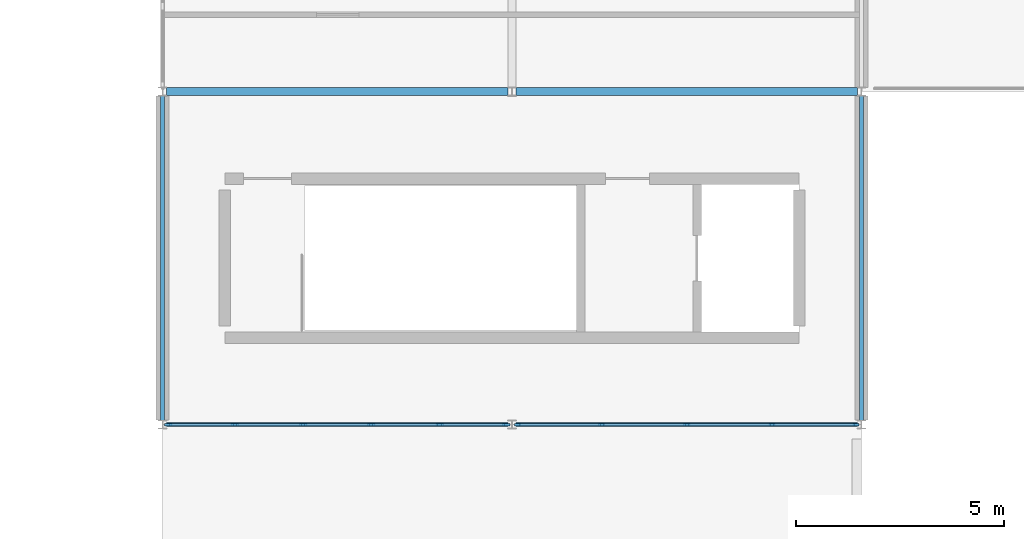
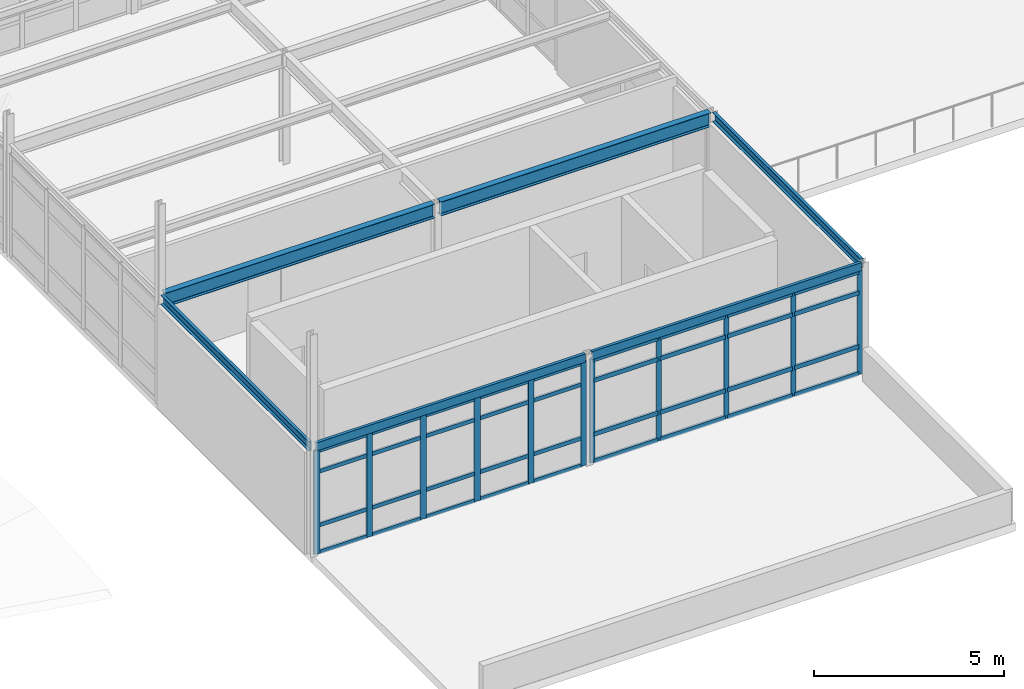
# One storey, part 12 of 32: 47 members, 6 beams, 2 elements without a shape of their own.
"""IFC4 building model written with IfcOpenShell, lengths in metres."""

import ifcopenshell
import ifcopenshell.guid

model = None  # the IFC model being written
_history = None  # IfcOwnerHistory: only IFC2X3 demands one
_inside = {}  # id of a spatial element -> (the spatial element, [elements in it])
_under = {}  # id of a project, library or spatial element -> (it, [spatial elements below it])
_declared = {}  # id of a project -> (the project, [libraries it declares])
_typed = {}  # id of a type object -> (the type object, [elements of that type])
_made_of = {}  # id of a material, layer set ... -> (it, [elements and type objects made of it])


def new_model(schema):
    """Start an empty IFC model of exactly this schema.

    Asked for "IFC4X3", IfcOpenShell would pick the latest addendum, in which some entities
    have other attributes; the version numbers below select the first issue.
    IFC2X3 requires an IfcOwnerHistory on every rooted entity: one is made here for all.
    """
    global model, _history
    if schema == "IFC4X3":
        model = ifcopenshell.file(schema_version=(4, 3, 0, 0))
    else:
        model = ifcopenshell.file(schema=schema)
    _inside.clear()
    _under.clear()
    _declared.clear()
    _typed.clear()
    _made_of.clear()
    _history = None
    if model.schema == "IFC2X3":
        org = make("IfcOrganization", Name="unknown")
        user = make(
            "IfcPersonAndOrganization",
            ThePerson=make("IfcPerson", FamilyName="unknown"),
            TheOrganization=org,
        )
        app = make(
            "IfcApplication",
            ApplicationDeveloper=org,
            Version="unknown",
            ApplicationFullName="unknown",
            ApplicationIdentifier="unknown",
        )
        _history = make(
            "IfcOwnerHistory",
            OwningUser=user,
            OwningApplication=app,
            ChangeAction="ADDED",
            CreationDate=0,
        )
    return model


def make(cls, **values):
    """One entity of the class cls with the attributes given. An attribute that is None is left unset."""
    return model.create_entity(
        cls, **{name: value for name, value in values.items() if value is not None}
    )


def rooted(cls, **values):
    """An entity with a GlobalId (a new one), such as an element, a storey or a relation."""
    return make(cls, GlobalId=ifcopenshell.guid.new(), OwnerHistory=_history, **values)


def si_unit(unit_type, name, prefix=None):
    """IfcSIUnit, for example si_unit("LENGTHUNIT", "METRE", prefix="MILLI")."""
    return make("IfcSIUnit", UnitType=unit_type, Prefix=prefix, Name=name)


def assignment(units):
    """IfcUnitAssignment: the units of a project."""
    return None if units is None else make("IfcUnitAssignment", Units=units)


def point(xyz):
    """IfcCartesianPoint."""
    return None if xyz is None else make("IfcCartesianPoint", Coordinates=xyz)


def direction(xyz):
    """IfcDirection."""
    return None if xyz is None else make("IfcDirection", DirectionRatios=xyz)


def frame(location, z_axis=None, x_axis=None):
    """IfcAxis2Placement3D, a coordinate frame: its origin and axes. An axis left out is left unset."""
    return make(
        "IfcAxis2Placement3D",
        Location=point(location),
        Axis=direction(z_axis),
        RefDirection=direction(x_axis),
    )


def frame_2d(location, x_axis=None):
    """IfcAxis2Placement2D, a coordinate frame in the plane: its origin and x axis."""
    return make(
        "IfcAxis2Placement2D", Location=point(location), RefDirection=direction(x_axis)
    )


def origin():
    """The frame at (0, 0, 0) with its axes left unset."""
    return frame((0.0, 0.0, 0.0))


def origin_2d():
    """The frame at (0, 0) in the plane with its x axis left unset."""
    return frame_2d((0.0, 0.0))


def place(relative_to, where):
    """IfcLocalPlacement: puts the frame where relative to a parent placement (None: the world)."""
    return make(
        "IfcLocalPlacement", PlacementRelTo=relative_to, RelativePlacement=where
    )


def context(
    kind, dimensions, precision=None, world=None, true_north=None, identifier=None
):
    """IfcGeometricRepresentationContext, for example the 3D "Model" context."""
    return make(
        "IfcGeometricRepresentationContext",
        ContextIdentifier=identifier,
        ContextType=kind,
        CoordinateSpaceDimension=dimensions,
        Precision=precision,
        WorldCoordinateSystem=world,
        TrueNorth=true_north,
    )


def subcontext(parent, identifier, kind, view, scale=None):
    """IfcGeometricRepresentationSubContext, for example "Body" below "Model"."""
    return make(
        "IfcGeometricRepresentationSubContext",
        ContextIdentifier=identifier,
        ContextType=kind,
        ParentContext=parent,
        TargetScale=scale,
        TargetView=view,
    )


def project(units=None, contexts=None):
    """IfcProject with its units and contexts."""
    return rooted(
        "IfcProject",
        Name="project",
        RepresentationContexts=contexts,
        UnitsInContext=assignment(units),
    )


def spatial(cls, under=None, at=None, **own):
    """A site, building, storey or space (cls), placed at a placement, below another one or the project."""
    s = rooted(cls, ObjectPlacement=at, **own)
    if under is not None:
        _under.setdefault(under.id(), (under, []))[1].append(s)
    return s


def profile(cls, at=None, kind="AREA", **sizes):
    """A parametric profile (cls). Its sizes go by their IFC names, for example OverallWidth=200.0."""
    return make(cls, ProfileType=kind, Position=at, **sizes)


def rectangle(**sizes):
    """IfcRectangleProfileDef."""
    return profile("IfcRectangleProfileDef", **sizes)


def i_section(**sizes):
    """IfcIShapeProfileDef."""
    return profile("IfcIShapeProfileDef", **sizes)


def u_section(**sizes):
    """IfcUShapeProfileDef."""
    return profile("IfcUShapeProfileDef", **sizes)


def extrude(swept, where, along, depth):
    """IfcExtrudedAreaSolid: the profile swept, set in the frame where, extruded along a direction by depth."""
    return make(
        "IfcExtrudedAreaSolid",
        SweptArea=swept,
        Position=where,
        ExtrudedDirection=direction(along),
        Depth=depth,
    )


def shape(context_of_items, identifier, shape_type, items):
    """IfcShapeRepresentation: the items that make up one representation, for example the "Body"."""
    return make(
        "IfcShapeRepresentation",
        ContextOfItems=context_of_items,
        RepresentationIdentifier=identifier,
        RepresentationType=shape_type,
        Items=items,
    )


def material(Name=None, Category=None):
    """IfcMaterial."""
    return make("IfcMaterial", Name=Name, Category=Category)


def layer(
    of_material, thickness, ventilated=None, Name=None, Category=None, Priority=None
):
    """IfcMaterialLayer: one layer of a wall or slab, of a material (None: an air gap)."""
    return make(
        "IfcMaterialLayer",
        Material=of_material,
        LayerThickness=thickness,
        IsVentilated=ventilated,
        Name=Name,
        Category=Category,
        Priority=Priority,
    )


def layer_set(layers, Name=None):
    """IfcMaterialLayerSet."""
    return make("IfcMaterialLayerSet", MaterialLayers=layers, LayerSetName=Name)


def material_profile(
    of_material, cross_section, Name=None, Category=None, Priority=None
):
    """IfcMaterialProfile: a cross section and its material."""
    return make(
        "IfcMaterialProfile",
        Name=Name,
        Material=of_material,
        Profile=cross_section,
        Priority=Priority,
        Category=Category,
    )


def profile_set(profiles, Name=None, composite=None):
    """IfcMaterialProfileSet."""
    return make(
        "IfcMaterialProfileSet",
        Name=Name,
        MaterialProfiles=profiles,
        CompositeProfile=composite,
    )


def made_of(thing, what):
    """Note that an element or type object is made of a material, layer set ...; save() writes the relation."""
    if what is not None:
        _made_of.setdefault(what.id(), (what, []))[1].append(thing)
    return thing


def type_object(cls, material=None, **own):
    """A type object (cls), such as IfcWallType, which elements share."""
    return made_of(rooted(cls, **own), material)


def element(
    cls,
    number,
    at=None,
    inside=None,
    cuts=None,
    type_object=None,
    material=None,
    context=None,
    identifier="Body",
    shape_type=None,
    held_by="IfcProductDefinitionShape",
    body=None,
    shapes=None,
    **own,
):
    """One element of the class cls, such as IfcWall. Its Tag is "e" and its number.

    at: its placement. inside: the storey or other place that contains it. cuts: it is an
    opening in that element (IfcRelVoidsElement). A single representation is given by context,
    identifier, shape_type and body (its items); several are given by shapes. held_by: the class
    of the entity that holds the representations. save() writes the other relations.
    """
    e = rooted(cls, Tag="e%d" % number, ObjectPlacement=at, **own)
    if body is not None:
        shapes = [shape(context, identifier, shape_type, body)]
    if shapes is not None:
        e.Representation = make(held_by, Representations=shapes)
    if inside is not None:
        _inside.setdefault(inside.id(), (inside, []))[1].append(e)
    if cuts is not None:
        rooted(
            "IfcRelVoidsElement", RelatingBuildingElement=cuts, RelatedOpeningElement=e
        )
    if type_object is not None:
        _typed.setdefault(type_object.id(), (type_object, []))[1].append(e)
    return made_of(e, material)


def aggregate(whole, parts):
    """IfcRelAggregates: a whole, such as a stair, and the parts it consists of."""
    return rooted("IfcRelAggregates", RelatingObject=whole, RelatedObjects=parts)


def save(model, path):
    """Write the relations noted so far, then the file.

    IfcRelAggregates (storeys below a building ...), IfcRelContainedInSpatialStructure (elements
    in a storey), IfcRelDefinesByType, IfcRelAssociatesMaterial and IfcRelDeclares: one each for
    every whole, place, type object, material and project.
    """
    for whole, parts in _under.values():
        aggregate(whole, parts)
    for where, things in _inside.values():
        rooted(
            "IfcRelContainedInSpatialStructure",
            RelatedElements=things,
            RelatingStructure=where,
        )
    for kind, things in _typed.values():
        rooted("IfcRelDefinesByType", RelatedObjects=things, RelatingType=kind)
    for what, things in _made_of.values():
        rooted("IfcRelAssociatesMaterial", RelatedObjects=things, RelatingMaterial=what)
    for by, libraries in _declared.values():
        rooted("IfcRelDeclares", RelatingContext=by, RelatedDefinitions=libraries)
    model.write(path)


model = new_model("IFC4")

# Units and contexts
model_context = context("Model", 3, precision=1e-05, world=origin(), true_north=direction((0.0, 1.0)))
body_context = subcontext(model_context, "Body", "Model", "MODEL_VIEW")
ifc_project = project(units=[si_unit("LENGTHUNIT", "METRE"), si_unit("AREAUNIT", "SQUARE_METRE"), si_unit("VOLUMEUNIT", "CUBIC_METRE"), si_unit("PLANEANGLEUNIT", "RADIAN"), si_unit("MASSUNIT", "GRAM", prefix="KILO")], contexts=[model_context])

# Site, building, storey
site_placement = place(None, origin())
site = spatial("IfcSite", under=ifc_project, at=site_placement, CompositionType="ELEMENT")
building_placement = place(site_placement, origin())
building = spatial("IfcBuilding", under=site, at=building_placement, Name="Kranzveld Transit Interchange", CompositionType="ELEMENT")
storey_placement = place(building_placement, frame((0.0, 0.0, 17.199951171875)))
storey = spatial("IfcBuildingStorey", under=building, at=storey_placement, Name="L04", CompositionType="ELEMENT", Elevation=17.199951171875)

# Beams
ifc_material_1 = material(Name="Steel S355JR", Category="steel")
ifc_material_profile_1 = material_profile(ifc_material_1, i_section(OverallWidth=0.18994140625, OverallDepth=0.453369140625, WebThickness=0.008544921875, FlangeThickness=0.0126953125, FilletRadius=0.01025390625, at=origin_2d()), Name="UB 457x191x67")
ifc_profile_set_1 = profile_set([ifc_material_profile_1], Name="Steel S355JR")
beam_type_1 = type_object("IfcBeamType", Name="Beam Steel UB 457x191x67 S355JR", PredefinedType="BEAM", material=ifc_profile_set_1)
beam_1_placement = place(storey_placement, frame((100.892822265625, 80.0, 3.36328125), z_axis=(1.0, 0.0, 0.0), x_axis=(0.0, 1.0, 0.0)))
element("IfcBeam", 1, at=beam_1_placement, inside=storey, type_object=beam_type_1, Name="L04 Girder 13-14/L", PredefinedType="BEAM", context=body_context, shape_type="SweptSolid", body=[
    extrude(i_section(OverallWidth=0.18994140625, OverallDepth=0.453369140625, WebThickness=0.008544921875, FlangeThickness=0.0126953125, FilletRadius=0.01025390625, at=origin_2d()), origin(), (0.0, 0.0, 1.0), 8.21435546875),
])
beam_2_placement = place(storey_placement, frame((109.29296875, 80.0, 3.36328125), z_axis=(1.0, 0.0, 0.0), x_axis=(0.0, 1.0, 0.0)))
element("IfcBeam", 2, at=beam_2_placement, inside=storey, type_object=beam_type_1, Name="L04 Girder 14-15/L", PredefinedType="BEAM", context=body_context, shape_type="SweptSolid", body=[
    extrude(i_section(OverallWidth=0.18994140625, OverallDepth=0.453369140625, WebThickness=0.008544921875, FlangeThickness=0.0126953125, FilletRadius=0.01025390625, at=origin_2d()), origin(), (0.0, 0.0, 1.0), 8.214111328125),
])

# Curtain wall, members
ifc_material_2 = material(Name="Bronze-anodised thermally broken aluminium", Category="aluminium")
ifc_layer_1 = layer(ifc_material_2, 0.159912109375)
ifc_layer_set_1 = layer_set([ifc_layer_1], Name="Bronze-anodised thermally broken aluminium")
curtain_wall_type_1 = type_object("IfcCurtainWallType", Name="Bus Boarding Glazed Screen CW-3", PredefinedType="USERDEFINED", material=ifc_layer_set_1)
curtain_wall_1_placement = place(storey_placement, origin())
curtain_wall_1 = element("IfcCurtainWall", 3, at=curtain_wall_1_placement, inside=storey, type_object=curtain_wall_type_1, Name="L04 Curtain Wall 14/K-15/K", ObjectType="CURTAIN WALL", PredefinedType="USERDEFINED")
ifc_material_3 = material(Name="Bronze-anodised thermally broken aluminium", Category="aluminium")
ifc_material_profile_2 = material_profile(ifc_material_3, rectangle(XDim=0.06005859375, YDim=0.14990234375, at=origin_2d()), Name="ALU MULLION 60x150")
ifc_profile_set_2 = profile_set([ifc_material_profile_2], Name="Bronze-anodised thermally broken aluminium")
member_type_1 = type_object("IfcMemberType", Name="Curtain Wall Mullion 60x150 Alu", PredefinedType="MULLION", material=ifc_profile_set_2)
member_1_placement = place(storey_placement, frame((109.3330078125, 72.0, 0.0), z_axis=(0.0, 0.0, 1.0), x_axis=(0.0, 1.0, 0.0)))
member_1 = element("IfcMember", 4, at=member_1_placement, type_object=member_type_1, Name="CW-3 mullion 1", PredefinedType="MULLION", context=body_context, shape_type="SweptSolid", body=[
    extrude(rectangle(XDim=0.06005859375, YDim=0.14990234375, at=origin_2d()), origin(), (0.0, 0.0, 1.0), 3.330078125),
])
member_2_placement = place(storey_placement, frame((111.3515625, 72.0, 0.0), z_axis=(0.0, 0.0, 1.0), x_axis=(0.0, 1.0, 0.0)))
member_2 = element("IfcMember", 5, at=member_2_placement, type_object=member_type_1, Name="CW-3 mullion 2", PredefinedType="MULLION", context=body_context, shape_type="SweptSolid", body=[
    extrude(rectangle(XDim=0.06005859375, YDim=0.14990234375, at=origin_2d()), origin(), (0.0, 0.0, 1.0), 3.330078125),
])
member_3_placement = place(storey_placement, frame((113.39990234375, 72.0, 0.0), z_axis=(0.0, 0.0, 1.0), x_axis=(0.0, 1.0, 0.0)))
member_3 = element("IfcMember", 6, at=member_3_placement, type_object=member_type_1, Name="CW-3 mullion 3", PredefinedType="MULLION", context=body_context, shape_type="SweptSolid", body=[
    extrude(rectangle(XDim=0.06005859375, YDim=0.14990234375, at=origin_2d()), origin(), (0.0, 0.0, 1.0), 3.330078125),
])
member_4_placement = place(storey_placement, frame((115.448486328125, 72.0, 0.0), z_axis=(0.0, 0.0, 1.0), x_axis=(0.0, 1.0, 0.0)))
member_4 = element("IfcMember", 7, at=member_4_placement, type_object=member_type_1, Name="CW-3 mullion 4", PredefinedType="MULLION", context=body_context, shape_type="SweptSolid", body=[
    extrude(rectangle(XDim=0.06005859375, YDim=0.14990234375, at=origin_2d()), origin(), (0.0, 0.0, 1.0), 3.330078125),
])
member_5_placement = place(storey_placement, frame((117.467041015625, 72.0, 0.0), z_axis=(0.0, 0.0, 1.0), x_axis=(0.0, 1.0, 0.0)))
member_5 = element("IfcMember", 8, at=member_5_placement, type_object=member_type_1, Name="CW-3 mullion 5", PredefinedType="MULLION", context=body_context, shape_type="SweptSolid", body=[
    extrude(rectangle(XDim=0.06005859375, YDim=0.14990234375, at=origin_2d()), origin(), (0.0, 0.0, 1.0), 3.330078125),
])

ifc_material_4 = material(Name="Bronze-anodised thermally broken aluminium", Category="aluminium")
ifc_layer_2 = layer(ifc_material_4, 0.1650390625)
ifc_layer_set_2 = layer_set([ifc_layer_2], Name="Bronze-anodised thermally broken aluminium")
curtain_wall_type_2 = type_object("IfcCurtainWallType", Name="Sunny Court Arcade Curtain Wall CW-2", PredefinedType="USERDEFINED", material=ifc_layer_set_2)
curtain_wall_2_placement = place(storey_placement, origin())
curtain_wall_2 = element("IfcCurtainWall", 9, at=curtain_wall_2_placement, inside=storey, type_object=curtain_wall_type_2, Name="L04 Curtain Wall 13/K-14/K", ObjectType="CURTAIN WALL", PredefinedType="USERDEFINED")
ifc_material_5 = material(Name="Bronze-anodised thermally broken aluminium", Category="aluminium")
ifc_material_profile_3 = material_profile(ifc_material_5, rectangle(XDim=0.06494140625, YDim=0.179931640625, at=origin_2d()), Name="ALU MULLION 65x180")
ifc_profile_set_3 = profile_set([ifc_material_profile_3], Name="Bronze-anodised thermally broken aluminium")
member_type_2 = type_object("IfcMemberType", Name="Curtain Wall Mullion 65x180 Alu", PredefinedType="MULLION", material=ifc_profile_set_3)
member_6_placement = place(storey_placement, frame((100.935302734375, 72.0, 0.0), z_axis=(0.0, 0.0, 1.0), x_axis=(0.0, 1.0, 0.0)))
member_6 = element("IfcMember", 10, at=member_6_placement, type_object=member_type_2, Name="CW-2 mullion 1", PredefinedType="MULLION", context=body_context, shape_type="SweptSolid", body=[
    extrude(rectangle(XDim=0.06494140625, YDim=0.179931640625, at=origin_2d()), origin(), (0.0, 0.0, 1.0), 3.330078125),
])
member_7_placement = place(storey_placement, frame((102.541748046875, 72.0, 0.0), z_axis=(0.0, 0.0, 1.0), x_axis=(0.0, 1.0, 0.0)))
member_7 = element("IfcMember", 11, at=member_7_placement, type_object=member_type_2, Name="CW-2 mullion 2", PredefinedType="MULLION", context=body_context, shape_type="SweptSolid", body=[
    extrude(rectangle(XDim=0.06494140625, YDim=0.179931640625, at=origin_2d()), origin(), (0.0, 0.0, 1.0), 3.330078125),
])
member_8_placement = place(storey_placement, frame((104.1806640625, 72.0, 0.0), z_axis=(0.0, 0.0, 1.0), x_axis=(0.0, 1.0, 0.0)))
member_8 = element("IfcMember", 12, at=member_8_placement, type_object=member_type_2, Name="CW-2 mullion 3", PredefinedType="MULLION", context=body_context, shape_type="SweptSolid", body=[
    extrude(rectangle(XDim=0.06494140625, YDim=0.179931640625, at=origin_2d()), origin(), (0.0, 0.0, 1.0), 3.330078125),
])
member_9_placement = place(storey_placement, frame((105.8193359375, 72.0, 0.0), z_axis=(0.0, 0.0, 1.0), x_axis=(0.0, 1.0, 0.0)))
member_9 = element("IfcMember", 13, at=member_9_placement, type_object=member_type_2, Name="CW-2 mullion 4", PredefinedType="MULLION", context=body_context, shape_type="SweptSolid", body=[
    extrude(rectangle(XDim=0.06494140625, YDim=0.179931640625, at=origin_2d()), origin(), (0.0, 0.0, 1.0), 3.330078125),
])
member_10_placement = place(storey_placement, frame((107.458251953125, 72.0, 0.0), z_axis=(0.0, 0.0, 1.0), x_axis=(0.0, 1.0, 0.0)))
member_10 = element("IfcMember", 14, at=member_10_placement, type_object=member_type_2, Name="CW-2 mullion 5", PredefinedType="MULLION", context=body_context, shape_type="SweptSolid", body=[
    extrude(rectangle(XDim=0.06494140625, YDim=0.179931640625, at=origin_2d()), origin(), (0.0, 0.0, 1.0), 3.330078125),
])
member_11_placement = place(storey_placement, frame((109.064697265625, 72.0, 0.0), z_axis=(0.0, 0.0, 1.0), x_axis=(0.0, 1.0, 0.0)))
member_11 = element("IfcMember", 15, at=member_11_placement, type_object=member_type_2, Name="CW-2 mullion 6", PredefinedType="MULLION", context=body_context, shape_type="SweptSolid", body=[
    extrude(rectangle(XDim=0.06494140625, YDim=0.179931640625, at=origin_2d()), origin(), (0.0, 0.0, 1.0), 3.330078125),
])
ifc_material_6 = material(Name="Bronze-anodised thermally broken aluminium", Category="aluminium")
ifc_material_profile_4 = material_profile(ifc_material_6, rectangle(XDim=0.06005859375, YDim=0.125, at=origin_2d()), Name="ALU TRANSOM 60x125")
ifc_profile_set_4 = profile_set([ifc_material_profile_4], Name="Bronze-anodised thermally broken aluminium")
member_type_3 = type_object("IfcMemberType", Name="Curtain Wall Transom 60x125 Alu", PredefinedType="USERDEFINED", material=ifc_profile_set_4)
member_12_placement = place(storey_placement, frame((100.968017578125, 72.0, 0.030029296875), z_axis=(1.0, 0.0, 0.0), x_axis=(0.0, 1.0, 0.0)))
member_12 = element("IfcMember", 16, at=member_12_placement, type_object=member_type_3, Name="CW-2 transom 1.1", ObjectType="TRANSOM", PredefinedType="USERDEFINED", context=body_context, shape_type="SweptSolid", body=[
    extrude(rectangle(XDim=0.06005859375, YDim=0.125, at=origin_2d()), origin(), (0.0, 0.0, 1.0), 1.541259765625),
])
member_13_placement = place(storey_placement, frame((100.968017578125, 72.0, 0.900146484375), z_axis=(1.0, 0.0, 0.0), x_axis=(0.0, 1.0, 0.0)))
member_13 = element("IfcMember", 17, at=member_13_placement, type_object=member_type_3, Name="CW-2 transom 1.2", ObjectType="TRANSOM", PredefinedType="USERDEFINED", context=body_context, shape_type="SweptSolid", body=[
    extrude(rectangle(XDim=0.06005859375, YDim=0.125, at=origin_2d()), origin(), (0.0, 0.0, 1.0), 1.541259765625),
])
member_14_placement = place(storey_placement, frame((100.968017578125, 72.0, 2.630126953125), z_axis=(1.0, 0.0, 0.0), x_axis=(0.0, 1.0, 0.0)))
member_14 = element("IfcMember", 18, at=member_14_placement, type_object=member_type_3, Name="CW-2 transom 1.3", ObjectType="TRANSOM", PredefinedType="USERDEFINED", context=body_context, shape_type="SweptSolid", body=[
    extrude(rectangle(XDim=0.06005859375, YDim=0.125, at=origin_2d()), origin(), (0.0, 0.0, 1.0), 1.541259765625),
])
member_15_placement = place(storey_placement, frame((100.968017578125, 72.0, 3.300048828125), z_axis=(1.0, 0.0, 0.0), x_axis=(0.0, 1.0, 0.0)))
member_15 = element("IfcMember", 19, at=member_15_placement, type_object=member_type_3, Name="CW-2 transom 1.4", ObjectType="TRANSOM", PredefinedType="USERDEFINED", context=body_context, shape_type="SweptSolid", body=[
    extrude(rectangle(XDim=0.06005859375, YDim=0.125, at=origin_2d()), origin(), (0.0, 0.0, 1.0), 1.541259765625),
])
member_16_placement = place(storey_placement, frame((102.57421875, 72.0, 0.030029296875), z_axis=(1.0, 0.0, 0.0), x_axis=(0.0, 1.0, 0.0)))
member_16 = element("IfcMember", 20, at=member_16_placement, type_object=member_type_3, Name="CW-2 transom 2.1", ObjectType="TRANSOM", PredefinedType="USERDEFINED", context=body_context, shape_type="SweptSolid", body=[
    extrude(rectangle(XDim=0.06005859375, YDim=0.125, at=origin_2d()), origin(), (0.0, 0.0, 1.0), 1.573974609375),
])
member_17_placement = place(storey_placement, frame((102.57421875, 72.0, 0.900146484375), z_axis=(1.0, 0.0, 0.0), x_axis=(0.0, 1.0, 0.0)))
member_17 = element("IfcMember", 21, at=member_17_placement, type_object=member_type_3, Name="CW-2 transom 2.2", ObjectType="TRANSOM", PredefinedType="USERDEFINED", context=body_context, shape_type="SweptSolid", body=[
    extrude(rectangle(XDim=0.06005859375, YDim=0.125, at=origin_2d()), origin(), (0.0, 0.0, 1.0), 1.573974609375),
])
member_18_placement = place(storey_placement, frame((102.57421875, 72.0, 2.630126953125), z_axis=(1.0, 0.0, 0.0), x_axis=(0.0, 1.0, 0.0)))
member_18 = element("IfcMember", 22, at=member_18_placement, type_object=member_type_3, Name="CW-2 transom 2.3", ObjectType="TRANSOM", PredefinedType="USERDEFINED", context=body_context, shape_type="SweptSolid", body=[
    extrude(rectangle(XDim=0.06005859375, YDim=0.125, at=origin_2d()), origin(), (0.0, 0.0, 1.0), 1.573974609375),
])
member_19_placement = place(storey_placement, frame((102.57421875, 72.0, 3.300048828125), z_axis=(1.0, 0.0, 0.0), x_axis=(0.0, 1.0, 0.0)))
member_19 = element("IfcMember", 23, at=member_19_placement, type_object=member_type_3, Name="CW-2 transom 2.4", ObjectType="TRANSOM", PredefinedType="USERDEFINED", context=body_context, shape_type="SweptSolid", body=[
    extrude(rectangle(XDim=0.06005859375, YDim=0.125, at=origin_2d()), origin(), (0.0, 0.0, 1.0), 1.573974609375),
])
member_20_placement = place(storey_placement, frame((104.213134765625, 72.0, 0.030029296875), z_axis=(1.0, 0.0, 0.0), x_axis=(0.0, 1.0, 0.0)))
member_20 = element("IfcMember", 24, at=member_20_placement, type_object=member_type_3, Name="CW-2 transom 3.1", ObjectType="TRANSOM", PredefinedType="USERDEFINED", context=body_context, shape_type="SweptSolid", body=[
    extrude(rectangle(XDim=0.06005859375, YDim=0.125, at=origin_2d()), origin(), (0.0, 0.0, 1.0), 1.57373046875),
])
member_21_placement = place(storey_placement, frame((104.213134765625, 72.0, 0.900146484375), z_axis=(1.0, 0.0, 0.0), x_axis=(0.0, 1.0, 0.0)))
member_21 = element("IfcMember", 25, at=member_21_placement, type_object=member_type_3, Name="CW-2 transom 3.2", ObjectType="TRANSOM", PredefinedType="USERDEFINED", context=body_context, shape_type="SweptSolid", body=[
    extrude(rectangle(XDim=0.06005859375, YDim=0.125, at=origin_2d()), origin(), (0.0, 0.0, 1.0), 1.57373046875),
])
member_22_placement = place(storey_placement, frame((104.213134765625, 72.0, 2.630126953125), z_axis=(1.0, 0.0, 0.0), x_axis=(0.0, 1.0, 0.0)))
member_22 = element("IfcMember", 26, at=member_22_placement, type_object=member_type_3, Name="CW-2 transom 3.3", ObjectType="TRANSOM", PredefinedType="USERDEFINED", context=body_context, shape_type="SweptSolid", body=[
    extrude(rectangle(XDim=0.06005859375, YDim=0.125, at=origin_2d()), origin(), (0.0, 0.0, 1.0), 1.57373046875),
])
member_23_placement = place(storey_placement, frame((104.213134765625, 72.0, 3.300048828125), z_axis=(1.0, 0.0, 0.0), x_axis=(0.0, 1.0, 0.0)))
member_23 = element("IfcMember", 27, at=member_23_placement, type_object=member_type_3, Name="CW-2 transom 3.4", ObjectType="TRANSOM", PredefinedType="USERDEFINED", context=body_context, shape_type="SweptSolid", body=[
    extrude(rectangle(XDim=0.06005859375, YDim=0.125, at=origin_2d()), origin(), (0.0, 0.0, 1.0), 1.57373046875),
])
member_24_placement = place(storey_placement, frame((105.851806640625, 72.0, 0.030029296875), z_axis=(1.0, 0.0, 0.0), x_axis=(0.0, 1.0, 0.0)))
member_24 = element("IfcMember", 28, at=member_24_placement, type_object=member_type_3, Name="CW-2 transom 4.1", ObjectType="TRANSOM", PredefinedType="USERDEFINED", context=body_context, shape_type="SweptSolid", body=[
    extrude(rectangle(XDim=0.06005859375, YDim=0.125, at=origin_2d()), origin(), (0.0, 0.0, 1.0), 1.573974609375),
])
member_25_placement = place(storey_placement, frame((105.851806640625, 72.0, 0.900146484375), z_axis=(1.0, 0.0, 0.0), x_axis=(0.0, 1.0, 0.0)))
member_25 = element("IfcMember", 29, at=member_25_placement, type_object=member_type_3, Name="CW-2 transom 4.2", ObjectType="TRANSOM", PredefinedType="USERDEFINED", context=body_context, shape_type="SweptSolid", body=[
    extrude(rectangle(XDim=0.06005859375, YDim=0.125, at=origin_2d()), origin(), (0.0, 0.0, 1.0), 1.573974609375),
])
member_26_placement = place(storey_placement, frame((105.851806640625, 72.0, 2.630126953125), z_axis=(1.0, 0.0, 0.0), x_axis=(0.0, 1.0, 0.0)))
member_26 = element("IfcMember", 30, at=member_26_placement, type_object=member_type_3, Name="CW-2 transom 4.3", ObjectType="TRANSOM", PredefinedType="USERDEFINED", context=body_context, shape_type="SweptSolid", body=[
    extrude(rectangle(XDim=0.06005859375, YDim=0.125, at=origin_2d()), origin(), (0.0, 0.0, 1.0), 1.573974609375),
])
member_27_placement = place(storey_placement, frame((105.851806640625, 72.0, 3.300048828125), z_axis=(1.0, 0.0, 0.0), x_axis=(0.0, 1.0, 0.0)))
member_27 = element("IfcMember", 31, at=member_27_placement, type_object=member_type_3, Name="CW-2 transom 4.4", ObjectType="TRANSOM", PredefinedType="USERDEFINED", context=body_context, shape_type="SweptSolid", body=[
    extrude(rectangle(XDim=0.06005859375, YDim=0.125, at=origin_2d()), origin(), (0.0, 0.0, 1.0), 1.573974609375),
])
member_28_placement = place(storey_placement, frame((107.49072265625, 72.0, 0.030029296875), z_axis=(1.0, 0.0, 0.0), x_axis=(0.0, 1.0, 0.0)))
member_28 = element("IfcMember", 32, at=member_28_placement, type_object=member_type_3, Name="CW-2 transom 5.1", ObjectType="TRANSOM", PredefinedType="USERDEFINED", context=body_context, shape_type="SweptSolid", body=[
    extrude(rectangle(XDim=0.06005859375, YDim=0.125, at=origin_2d()), origin(), (0.0, 0.0, 1.0), 1.541259765625),
])
member_29_placement = place(storey_placement, frame((107.49072265625, 72.0, 0.900146484375), z_axis=(1.0, 0.0, 0.0), x_axis=(0.0, 1.0, 0.0)))
member_29 = element("IfcMember", 33, at=member_29_placement, type_object=member_type_3, Name="CW-2 transom 5.2", ObjectType="TRANSOM", PredefinedType="USERDEFINED", context=body_context, shape_type="SweptSolid", body=[
    extrude(rectangle(XDim=0.06005859375, YDim=0.125, at=origin_2d()), origin(), (0.0, 0.0, 1.0), 1.541259765625),
])
member_30_placement = place(storey_placement, frame((107.49072265625, 72.0, 2.630126953125), z_axis=(1.0, 0.0, 0.0), x_axis=(0.0, 1.0, 0.0)))
member_30 = element("IfcMember", 34, at=member_30_placement, type_object=member_type_3, Name="CW-2 transom 5.3", ObjectType="TRANSOM", PredefinedType="USERDEFINED", context=body_context, shape_type="SweptSolid", body=[
    extrude(rectangle(XDim=0.06005859375, YDim=0.125, at=origin_2d()), origin(), (0.0, 0.0, 1.0), 1.541259765625),
])
member_31_placement = place(storey_placement, frame((107.49072265625, 72.0, 3.300048828125), z_axis=(1.0, 0.0, 0.0), x_axis=(0.0, 1.0, 0.0)))
member_31 = element("IfcMember", 35, at=member_31_placement, type_object=member_type_3, Name="CW-2 transom 5.4", ObjectType="TRANSOM", PredefinedType="USERDEFINED", context=body_context, shape_type="SweptSolid", body=[
    extrude(rectangle(XDim=0.06005859375, YDim=0.125, at=origin_2d()), origin(), (0.0, 0.0, 1.0), 1.541259765625),
])
aggregate(curtain_wall_2, [member_6, member_7, member_8, member_9, member_10, member_11, member_12, member_13, member_14, member_15, member_16, member_17, member_18, member_19, member_20, member_21, member_22, member_23, member_24, member_25, member_26, member_27, member_28, member_29, member_30, member_31])

# Member
ifc_material_7 = material(Name="Bronze-anodised thermally broken aluminium", Category="aluminium")
ifc_material_profile_5 = material_profile(ifc_material_7, rectangle(XDim=0.06494140625, YDim=0.139892578125, at=origin_2d()), Name="ALU TRANSOM 65x140")
ifc_profile_set_5 = profile_set([ifc_material_profile_5], Name="Bronze-anodised thermally broken aluminium")
member_type_4 = type_object("IfcMemberType", Name="Curtain Wall Transom 65x140 Alu", PredefinedType="USERDEFINED", material=ifc_profile_set_5)
member_32_placement = place(storey_placement, frame((109.36279296875, 72.0, 0.032470703125), z_axis=(1.0, 0.0, 0.0), x_axis=(0.0, 1.0, 0.0)))
member_32 = element("IfcMember", 36, at=member_32_placement, type_object=member_type_4, Name="CW-3 transom 1.1", ObjectType="TRANSOM", PredefinedType="USERDEFINED", context=body_context, shape_type="SweptSolid", body=[
    extrude(rectangle(XDim=0.06494140625, YDim=0.139892578125, at=origin_2d()), origin(), (0.0, 0.0, 1.0), 1.958740234375),
])

member_33_placement = place(storey_placement, frame((109.36279296875, 72.0, 0.900146484375), z_axis=(1.0, 0.0, 0.0), x_axis=(0.0, 1.0, 0.0)))
member_33 = element("IfcMember", 37, at=member_33_placement, type_object=member_type_4, Name="CW-3 transom 1.2", ObjectType="TRANSOM", PredefinedType="USERDEFINED", context=body_context, shape_type="SweptSolid", body=[
    extrude(rectangle(XDim=0.06494140625, YDim=0.139892578125, at=origin_2d()), origin(), (0.0, 0.0, 1.0), 1.958740234375),
])

member_34_placement = place(storey_placement, frame((109.36279296875, 72.0, 2.630126953125), z_axis=(1.0, 0.0, 0.0), x_axis=(0.0, 1.0, 0.0)))
member_34 = element("IfcMember", 38, at=member_34_placement, type_object=member_type_4, Name="CW-3 transom 1.3", ObjectType="TRANSOM", PredefinedType="USERDEFINED", context=body_context, shape_type="SweptSolid", body=[
    extrude(rectangle(XDim=0.06494140625, YDim=0.139892578125, at=origin_2d()), origin(), (0.0, 0.0, 1.0), 1.958740234375),
])

member_35_placement = place(storey_placement, frame((109.36279296875, 72.0, 3.297607421875), z_axis=(1.0, 0.0, 0.0), x_axis=(0.0, 1.0, 0.0)))
member_35 = element("IfcMember", 39, at=member_35_placement, type_object=member_type_4, Name="CW-3 transom 1.4", ObjectType="TRANSOM", PredefinedType="USERDEFINED", context=body_context, shape_type="SweptSolid", body=[
    extrude(rectangle(XDim=0.06494140625, YDim=0.139892578125, at=origin_2d()), origin(), (0.0, 0.0, 1.0), 1.958740234375),
])

member_36_placement = place(storey_placement, frame((111.38134765625, 72.0, 0.032470703125), z_axis=(1.0, 0.0, 0.0), x_axis=(0.0, 1.0, 0.0)))
member_36 = element("IfcMember", 40, at=member_36_placement, type_object=member_type_4, Name="CW-3 transom 2.1", ObjectType="TRANSOM", PredefinedType="USERDEFINED", context=body_context, shape_type="SweptSolid", body=[
    extrude(rectangle(XDim=0.06494140625, YDim=0.139892578125, at=origin_2d()), origin(), (0.0, 0.0, 1.0), 1.98876953125),
])

member_37_placement = place(storey_placement, frame((111.38134765625, 72.0, 0.900146484375), z_axis=(1.0, 0.0, 0.0), x_axis=(0.0, 1.0, 0.0)))
member_37 = element("IfcMember", 41, at=member_37_placement, type_object=member_type_4, Name="CW-3 transom 2.2", ObjectType="TRANSOM", PredefinedType="USERDEFINED", context=body_context, shape_type="SweptSolid", body=[
    extrude(rectangle(XDim=0.06494140625, YDim=0.139892578125, at=origin_2d()), origin(), (0.0, 0.0, 1.0), 1.98876953125),
])

member_38_placement = place(storey_placement, frame((111.38134765625, 72.0, 2.630126953125), z_axis=(1.0, 0.0, 0.0), x_axis=(0.0, 1.0, 0.0)))
member_38 = element("IfcMember", 42, at=member_38_placement, type_object=member_type_4, Name="CW-3 transom 2.3", ObjectType="TRANSOM", PredefinedType="USERDEFINED", context=body_context, shape_type="SweptSolid", body=[
    extrude(rectangle(XDim=0.06494140625, YDim=0.139892578125, at=origin_2d()), origin(), (0.0, 0.0, 1.0), 1.98876953125),
])

member_39_placement = place(storey_placement, frame((111.38134765625, 72.0, 3.297607421875), z_axis=(1.0, 0.0, 0.0), x_axis=(0.0, 1.0, 0.0)))
member_39 = element("IfcMember", 43, at=member_39_placement, type_object=member_type_4, Name="CW-3 transom 2.4", ObjectType="TRANSOM", PredefinedType="USERDEFINED", context=body_context, shape_type="SweptSolid", body=[
    extrude(rectangle(XDim=0.06494140625, YDim=0.139892578125, at=origin_2d()), origin(), (0.0, 0.0, 1.0), 1.98876953125),
])

member_40_placement = place(storey_placement, frame((113.429931640625, 72.0, 0.032470703125), z_axis=(1.0, 0.0, 0.0), x_axis=(0.0, 1.0, 0.0)))
member_40 = element("IfcMember", 44, at=member_40_placement, type_object=member_type_4, Name="CW-3 transom 3.1", ObjectType="TRANSOM", PredefinedType="USERDEFINED", context=body_context, shape_type="SweptSolid", body=[
    extrude(rectangle(XDim=0.06494140625, YDim=0.139892578125, at=origin_2d()), origin(), (0.0, 0.0, 1.0), 1.988525390625),
])

member_41_placement = place(storey_placement, frame((113.429931640625, 72.0, 0.900146484375), z_axis=(1.0, 0.0, 0.0), x_axis=(0.0, 1.0, 0.0)))
member_41 = element("IfcMember", 45, at=member_41_placement, type_object=member_type_4, Name="CW-3 transom 3.2", ObjectType="TRANSOM", PredefinedType="USERDEFINED", context=body_context, shape_type="SweptSolid", body=[
    extrude(rectangle(XDim=0.06494140625, YDim=0.139892578125, at=origin_2d()), origin(), (0.0, 0.0, 1.0), 1.988525390625),
])

member_42_placement = place(storey_placement, frame((113.429931640625, 72.0, 2.630126953125), z_axis=(1.0, 0.0, 0.0), x_axis=(0.0, 1.0, 0.0)))
member_42 = element("IfcMember", 46, at=member_42_placement, type_object=member_type_4, Name="CW-3 transom 3.3", ObjectType="TRANSOM", PredefinedType="USERDEFINED", context=body_context, shape_type="SweptSolid", body=[
    extrude(rectangle(XDim=0.06494140625, YDim=0.139892578125, at=origin_2d()), origin(), (0.0, 0.0, 1.0), 1.988525390625),
])

member_43_placement = place(storey_placement, frame((113.429931640625, 72.0, 3.297607421875), z_axis=(1.0, 0.0, 0.0), x_axis=(0.0, 1.0, 0.0)))
member_43 = element("IfcMember", 47, at=member_43_placement, type_object=member_type_4, Name="CW-3 transom 3.4", ObjectType="TRANSOM", PredefinedType="USERDEFINED", context=body_context, shape_type="SweptSolid", body=[
    extrude(rectangle(XDim=0.06494140625, YDim=0.139892578125, at=origin_2d()), origin(), (0.0, 0.0, 1.0), 1.988525390625),
])

member_44_placement = place(storey_placement, frame((115.478515625, 72.0, 0.032470703125), z_axis=(1.0, 0.0, 0.0), x_axis=(0.0, 1.0, 0.0)))
member_44 = element("IfcMember", 48, at=member_44_placement, type_object=member_type_4, Name="CW-3 transom 4.1", ObjectType="TRANSOM", PredefinedType="USERDEFINED", context=body_context, shape_type="SweptSolid", body=[
    extrude(rectangle(XDim=0.06494140625, YDim=0.139892578125, at=origin_2d()), origin(), (0.0, 0.0, 1.0), 1.95849609375),
])

member_45_placement = place(storey_placement, frame((115.478515625, 72.0, 0.900146484375), z_axis=(1.0, 0.0, 0.0), x_axis=(0.0, 1.0, 0.0)))
member_45 = element("IfcMember", 49, at=member_45_placement, type_object=member_type_4, Name="CW-3 transom 4.2", ObjectType="TRANSOM", PredefinedType="USERDEFINED", context=body_context, shape_type="SweptSolid", body=[
    extrude(rectangle(XDim=0.06494140625, YDim=0.139892578125, at=origin_2d()), origin(), (0.0, 0.0, 1.0), 1.95849609375),
])

member_46_placement = place(storey_placement, frame((115.478515625, 72.0, 2.630126953125), z_axis=(1.0, 0.0, 0.0), x_axis=(0.0, 1.0, 0.0)))
member_46 = element("IfcMember", 50, at=member_46_placement, type_object=member_type_4, Name="CW-3 transom 4.3", ObjectType="TRANSOM", PredefinedType="USERDEFINED", context=body_context, shape_type="SweptSolid", body=[
    extrude(rectangle(XDim=0.06494140625, YDim=0.139892578125, at=origin_2d()), origin(), (0.0, 0.0, 1.0), 1.95849609375),
])

member_47_placement = place(storey_placement, frame((115.478515625, 72.0, 3.297607421875), z_axis=(1.0, 0.0, 0.0), x_axis=(0.0, 1.0, 0.0)))
member_47 = element("IfcMember", 51, at=member_47_placement, type_object=member_type_4, Name="CW-3 transom 4.4", ObjectType="TRANSOM", PredefinedType="USERDEFINED", context=body_context, shape_type="SweptSolid", body=[
    extrude(rectangle(XDim=0.06494140625, YDim=0.139892578125, at=origin_2d()), origin(), (0.0, 0.0, 1.0), 1.95849609375),
])

aggregate(curtain_wall_1, [member_1, member_2, member_3, member_4, member_5, member_32, member_33, member_34, member_35, member_36, member_37, member_38, member_39, member_40, member_41, member_42, member_43, member_44, member_45, member_46, member_47])

# Beams
ifc_material_8 = material(Name="Steel S355JR", Category="steel")
ifc_material_profile_6 = material_profile(ifc_material_8, u_section(Depth=0.260009765625, FlangeWidth=0.090087890625, WebThickness=0.008056640625, FlangeThickness=0.013916015625, FilletRadius=0.011962890625, at=origin_2d()), Name="PFC 260x90x35")
ifc_profile_set_6 = profile_set([ifc_material_profile_6], Name="Steel S355JR")
beam_type_2 = type_object("IfcBeamType", Name="Edge Spandrel PFC 260x90x35 S355JR", PredefinedType="SPANDREL", material=ifc_profile_set_6)
beam_3_placement = place(storey_placement, frame((100.892822265625, 72.0, 3.4599609375), z_axis=(1.0, 0.0, 0.0), x_axis=(0.0, 1.0, 0.0)))
element("IfcBeam", 52, at=beam_3_placement, inside=storey, type_object=beam_type_2, Name="L04 Girder 13-14/K", PredefinedType="SPANDREL", context=body_context, shape_type="SweptSolid", body=[
    extrude(u_section(Depth=0.260009765625, FlangeWidth=0.090087890625, WebThickness=0.008056640625, FlangeThickness=0.013916015625, FilletRadius=0.011962890625, at=origin_2d()), origin(), (0.0, 0.0, 1.0), 8.21435546875),
])
beam_4_placement = place(storey_placement, frame((109.29296875, 72.0, 3.4599609375), z_axis=(1.0, 0.0, 0.0), x_axis=(0.0, 1.0, 0.0)))
element("IfcBeam", 53, at=beam_4_placement, inside=storey, type_object=beam_type_2, Name="L04 Girder 14-15/K", PredefinedType="SPANDREL", context=body_context, shape_type="SweptSolid", body=[
    extrude(u_section(Depth=0.260009765625, FlangeWidth=0.090087890625, WebThickness=0.008056640625, FlangeThickness=0.013916015625, FilletRadius=0.011962890625, at=origin_2d()), origin(), (0.0, 0.0, 1.0), 8.214111328125),
])
ifc_material_9 = material(Name="Steel S355JR", Category="steel")
ifc_material_profile_7 = material_profile(ifc_material_9, u_section(Depth=0.300048828125, FlangeWidth=0.090087890625, WebThickness=0.009033203125, FlangeThickness=0.015380859375, FilletRadius=0.011962890625, at=origin_2d()), Name="PFC 300x90x41")
ifc_profile_set_7 = profile_set([ifc_material_profile_7], Name="Steel S355JR")
beam_type_3 = type_object("IfcBeamType", Name="Edge Spandrel PFC 300x90x41 S355JR", PredefinedType="SPANDREL", material=ifc_profile_set_7)
for number, where, z_axis, x_axis, name in (
    (54, (100.800048828125, 72.0947265625, 3.43994140625), (0.0, 1.0, 0.0), (-1.0, 0.0, 0.0), "L04 Girder 13/K-L"),
    (55, (117.60009765625, 72.0947265625, 3.43994140625), (0.0, 1.0, 0.0), (-1.0, 0.0, 0.0), "L04 Girder 15/K-L"),
):
    element("IfcBeam", number, at=place(storey_placement, frame(where, z_axis=z_axis, x_axis=x_axis)), inside=storey, type_object=beam_type_3, Name=name, PredefinedType="SPANDREL", context=body_context, shape_type="SweptSolid", body=[
        extrude(u_section(Depth=0.300048828125, FlangeWidth=0.090087890625, WebThickness=0.009033203125, FlangeThickness=0.015380859375, FilletRadius=0.011962890625, at=origin_2d()), origin(), (0.0, 0.0, 1.0), 7.810546875),
    ])

save(model, "model.ifc")
